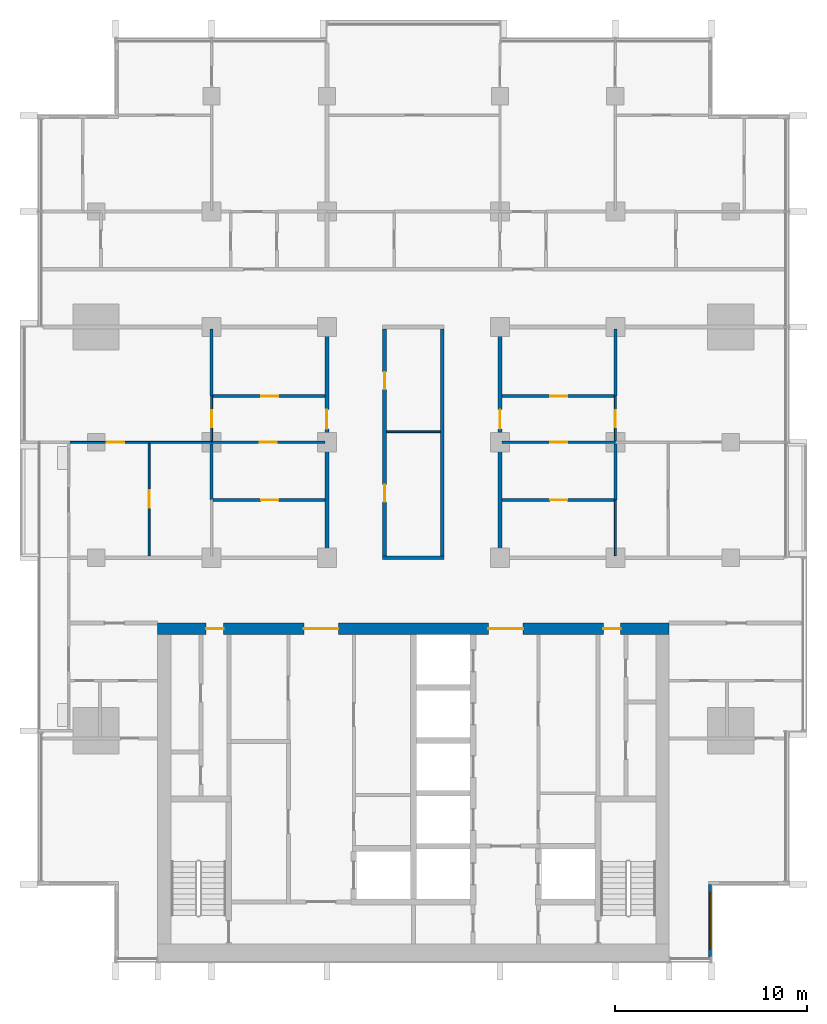
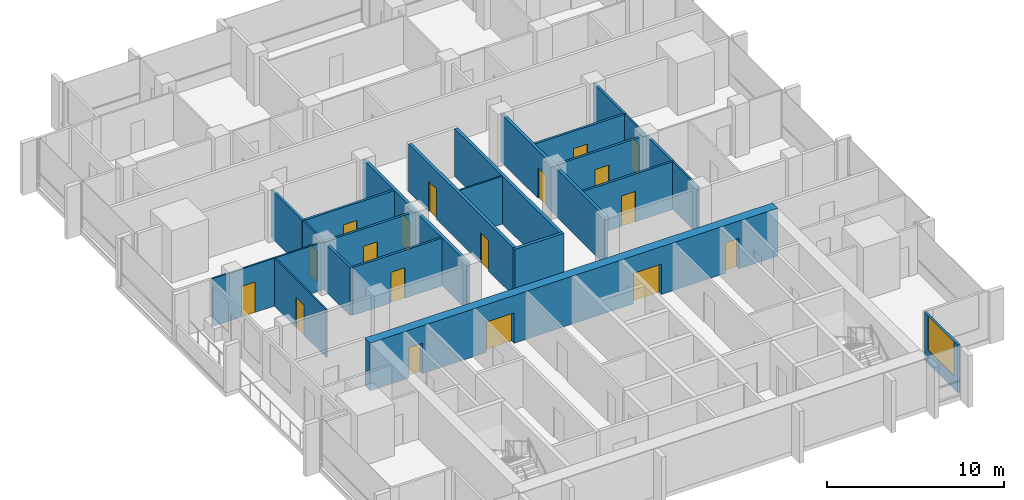
# One storey, part 9 of 17: 23 walls, 18 doors, 1 window, 19 openings.
"""IFC4 building model written with IfcOpenShell, lengths in metres."""

from ifc_helpers import new_model, si_unit, direction, frame, frame_2d, origin, place, context, subcontext, project, spatial, rectangle, extrude, material, layer, layer_set, type_object, element, fill, save


model = new_model("IFC4")

# Units and contexts
model_context = context("Model", 3, precision=1e-05, world=origin(), true_north=direction((0.0, 1.0)))
body_context = subcontext(model_context, "Body", "Model", "MODEL_VIEW")
ifc_project = project(units=[si_unit("LENGTHUNIT", "METRE"), si_unit("AREAUNIT", "SQUARE_METRE"), si_unit("VOLUMEUNIT", "CUBIC_METRE"), si_unit("PLANEANGLEUNIT", "RADIAN"), si_unit("MASSUNIT", "GRAM", prefix="KILO")], contexts=[model_context])

# Site, building, storey
site_placement = place(None, origin())
site = spatial("IfcSite", under=ifc_project, at=site_placement, CompositionType="ELEMENT")
building_placement = place(site_placement, origin())
building = spatial("IfcBuilding", under=site, at=building_placement, Name="Finial Court Residences", CompositionType="ELEMENT")
storey_placement = place(building_placement, frame((0.0, 0.0, 174.5)))
storey = spatial("IfcBuildingStorey", under=building, at=storey_placement, Name="L43", CompositionType="ELEMENT", Elevation=174.5)

# Wall, openings, doors
ifc_material_1 = material(Name="Concrete C70/85", Category="concrete")
ifc_layer_1 = layer(ifc_material_1, 0.60009765625)
ifc_layer_set_1 = layer_set([ifc_layer_1], Name="Core outer wall 600 Concrete C70/85")
wall_type_1 = type_object("IfcWallType", Name="Core outer wall 600 Concrete C70/85", PredefinedType="SHEAR", material=ifc_layer_set_1)
wall_1_placement = place(storey_placement, frame((-13.300048828125, -8.199951171875, 0.0), z_axis=(0.0, 0.0, 1.0), x_axis=(1.0, 0.0, 0.0)))
wall_1 = element("IfcWall", 1, at=wall_1_placement, inside=storey, type_object=wall_type_1, Name="Core outer wall L43-02", PredefinedType="SHEAR", context=body_context, shape_type="SweptSolid", body=[
    extrude(rectangle(XDim=26.60009765625, YDim=0.60009765625, at=frame_2d((13.300048828125, 0.0))), origin(), (0.0, 0.0, 1.0), 3.300048828125),
])
opening_1_placement = place(wall_1_placement, frame((7.60009765625, 0.0, 0.0)))
opening_1 = element("IfcOpeningElement", 2, at=opening_1_placement, cuts=wall_1, Name="Opening L43-C04", PredefinedType="OPENING", context=body_context, shape_type="SweptSolid", body=[
    extrude(rectangle(XDim=1.800048828125, YDim=2.10009765625, at=frame_2d((0.89990234375, 1.050048828125))), frame((0.0, 0.31005859375, 0.0), z_axis=(0.0, -1.0, 0.0), x_axis=(1.0, 0.0, 0.0)), (0.0, 0.0, 1.0), 0.6201171875),
])
opening_2_placement = place(wall_1_placement, frame((17.199951171875, 0.0, 0.0)))
opening_2 = element("IfcOpeningElement", 3, at=opening_2_placement, cuts=wall_1, Name="Opening L43-C05", PredefinedType="OPENING", context=body_context, shape_type="SweptSolid", body=[
    extrude(rectangle(XDim=1.800048828125, YDim=2.10009765625, at=frame_2d((0.89990234375, 1.050048828125))), frame((0.0, 0.31005859375, 0.0), z_axis=(0.0, -1.0, 0.0), x_axis=(1.0, 0.0, 0.0)), (0.0, 0.0, 1.0), 0.6201171875),
])
opening_3_placement = place(wall_1_placement, frame((2.52490234375, 0.0, 0.0)))
opening_3 = element("IfcOpeningElement", 4, at=opening_3_placement, cuts=wall_1, Name="Opening L43-C10", PredefinedType="OPENING", context=body_context, shape_type="SweptSolid", body=[
    extrude(rectangle(XDim=0.89990234375, YDim=2.10009765625, at=frame_2d((0.449951171875, 1.050048828125))), frame((0.0, 0.31005859375, 0.0), z_axis=(0.0, -1.0, 0.0), x_axis=(1.0, 0.0, 0.0)), (0.0, 0.0, 1.0), 0.6201171875),
])
opening_4_placement = place(wall_1_placement, frame((23.175048828125, 0.0, 0.0)))
opening_4 = element("IfcOpeningElement", 5, at=opening_4_placement, cuts=wall_1, Name="Opening L43-C11", PredefinedType="OPENING", context=body_context, shape_type="SweptSolid", body=[
    extrude(rectangle(XDim=0.89990234375, YDim=2.10009765625, at=frame_2d((0.449951171875, 1.050048828125))), frame((0.0, 0.31005859375, 0.0), z_axis=(0.0, -1.0, 0.0), x_axis=(1.0, 0.0, 0.0)), (0.0, 0.0, 1.0), 0.6201171875),
])
ifc_material_2 = material(Name="Steel fire door", Category="steel")
door_type_1 = type_object("IfcDoorType", Name="Lift lobby door 1800 x 2100 EI 60", OperationType="DOUBLE_DOOR_SINGLE_SWING", PredefinedType="DOOR", material=ifc_material_2)
door_1_placement = place(opening_1_placement, origin())
door_1 = element("IfcDoor", 6, at=door_1_placement, inside=storey, type_object=door_type_1, Name="Lift lobby door L43-C04", OperationType="DOUBLE_DOOR_SINGLE_SWING", OverallHeight=2.10009765625, OverallWidth=1.800048828125, PredefinedType="DOOR", context=body_context, shape_type="SweptSolid", body=[
    extrude(rectangle(XDim=1.800048828125, YDim=2.10009765625, at=frame_2d((0.89990234375, 1.050048828125))), frame((0.0, 0.02490234375, 0.0), z_axis=(0.0, -1.0, 0.0), x_axis=(1.0, 0.0, 0.0)), (0.0, 0.0, 1.0), 0.050048828125),
])
fill(opening_1, door_1)
door_2_placement = place(opening_2_placement, origin())
door_2 = element("IfcDoor", 7, at=door_2_placement, inside=storey, type_object=door_type_1, Name="Lift lobby door L43-C05", OperationType="DOUBLE_DOOR_SINGLE_SWING", OverallHeight=2.10009765625, OverallWidth=1.800048828125, PredefinedType="DOOR", context=body_context, shape_type="SweptSolid", body=[
    extrude(rectangle(XDim=1.800048828125, YDim=2.10009765625, at=frame_2d((0.89990234375, 1.050048828125))), frame((0.0, 0.02490234375, 0.0), z_axis=(0.0, -1.0, 0.0), x_axis=(1.0, 0.0, 0.0)), (0.0, 0.0, 1.0), 0.050048828125),
])
fill(opening_2, door_2)
door_type_2 = type_object("IfcDoorType", Name="Riser room door 900 x 2100 EI 90", OperationType="NOTDEFINED", PredefinedType="DOOR", material=ifc_material_2)
door_3_placement = place(opening_3_placement, origin())
door_3 = element("IfcDoor", 8, at=door_3_placement, inside=storey, type_object=door_type_2, Name="Riser room door L43-C10", OperationType="SINGLE_SWING_RIGHT", OverallHeight=2.10009765625, OverallWidth=0.89990234375, PredefinedType="DOOR", context=body_context, shape_type="SweptSolid", body=[
    extrude(rectangle(XDim=0.89990234375, YDim=2.10009765625, at=frame_2d((0.449951171875, 1.050048828125))), frame((0.0, 0.02490234375, 0.0), z_axis=(0.0, -1.0, 0.0), x_axis=(1.0, 0.0, 0.0)), (0.0, 0.0, 1.0), 0.050048828125),
])
fill(opening_3, door_3)
door_4_placement = place(opening_4_placement, origin())
door_4 = element("IfcDoor", 9, at=door_4_placement, inside=storey, type_object=door_type_2, Name="Riser room door L43-C11", OperationType="SINGLE_SWING_LEFT", OverallHeight=2.10009765625, OverallWidth=0.89990234375, PredefinedType="DOOR", context=body_context, shape_type="SweptSolid", body=[
    extrude(rectangle(XDim=0.89990234375, YDim=2.10009765625, at=frame_2d((0.449951171875, 1.050048828125))), frame((0.0, 0.02490234375, 0.0), z_axis=(0.0, -1.0, 0.0), x_axis=(1.0, 0.0, 0.0)), (0.0, 0.0, 1.0), 0.050048828125),
])
fill(opening_4, door_4)

# Wall
ifc_material_3 = material(Name="Gypsum board")
ifc_layer_2 = layer(ifc_material_3, 0.02490234375)
ifc_material_4 = material(Name="Acoustic mineral wool in double frame")
ifc_layer_3 = layer(ifc_material_4, 0.14990234375)
ifc_layer_4 = layer(ifc_material_3, 0.02490234375)
ifc_layer_set_2 = layer_set([ifc_layer_2, ifc_layer_3, ifc_layer_4], Name="Corridor wall 200, 1 hour")
wall_type_2 = type_object("IfcWallType", Name="Corridor wall 200, 1 hour", PredefinedType="PARTITIONING", material=ifc_layer_set_2)
wall_2_placement = place(storey_placement, frame((-1.60009765625, -4.5, 0.0), z_axis=(0.0, 0.0, 1.0), x_axis=(1.0, 0.0, 0.0)))
element("IfcWall", 10, at=wall_2_placement, inside=storey, type_object=wall_type_2, Name="Partition L43-007", PredefinedType="PARTITIONING", context=body_context, shape_type="SweptSolid", body=[
    extrude(rectangle(XDim=3.2001953125, YDim=0.199951171875, at=frame_2d((1.60009765625, 0.0))), origin(), (0.0, 0.0, 1.0), 3.300048828125),
])

# Wall, opening, door
wall_3_placement = place(storey_placement, frame((-4.5, -4.39990234375, 0.0), z_axis=(0.0, 0.0, 1.0), x_axis=(0.0, 1.0, 0.0)))
wall_3 = element("IfcWall", 11, at=wall_3_placement, inside=storey, type_object=wall_type_2, Name="Partition L43-047", PredefinedType="PARTITIONING", context=body_context, shape_type="SweptSolid", body=[
    extrude(rectangle(XDim=11.7998046875, YDim=0.199951171875, at=frame_2d((5.89990234375, 0.0))), origin(), (0.0, 0.0, 1.0), 3.300048828125),
])
opening_5_placement = place(wall_3_placement, frame((6.60009765625, 0.0, 0.0)))
opening_5 = element("IfcOpeningElement", 12, at=opening_5_placement, cuts=wall_3, Name="Opening L43-D031", PredefinedType="OPENING", context=body_context, shape_type="SweptSolid", body=[
    extrude(rectangle(XDim=1.0, YDim=2.10009765625, at=frame_2d((0.5, 1.050048828125))), frame((0.0, 0.10986328125, 0.0), z_axis=(0.0, -1.0, 0.0), x_axis=(1.0, 0.0, 0.0)), (0.0, 0.0, 1.0), 0.219970703125),
])
ifc_material_5 = material(Name="Timber door leaf in hollow metal frame", Category="wood")
door_type_3 = type_object("IfcDoorType", Name="Fire door set 1000 x 2100, 30 minutes", OperationType="SINGLE_SWING_LEFT", PredefinedType="DOOR", material=ifc_material_5)
door_5_placement = place(opening_5_placement, origin())
door_5 = element("IfcDoor", 13, at=door_5_placement, inside=storey, type_object=door_type_3, Name="Door L43-D031", OperationType="SINGLE_SWING_LEFT", OverallHeight=2.10009765625, OverallWidth=1.0, PredefinedType="DOOR", context=body_context, shape_type="SweptSolid", body=[
    extrude(rectangle(XDim=1.0, YDim=2.10009765625, at=frame_2d((0.5, 1.050048828125))), frame((0.0, 0.02490234375, 0.0), z_axis=(0.0, -1.0, 0.0), x_axis=(1.0, 0.0, 0.0)), (0.0, 0.0, 1.0), 0.050048828125),
])
fill(opening_5, door_5)

# Wall, openings, doors
wall_4_placement = place(storey_placement, frame((-1.5, -4.39990234375, 0.0), z_axis=(0.0, 0.0, 1.0), x_axis=(0.0, 1.0, 0.0)))
wall_4 = element("IfcWall", 14, at=wall_4_placement, inside=storey, type_object=wall_type_2, Name="Partition L43-050", PredefinedType="PARTITIONING", context=body_context, shape_type="SweptSolid", body=[
    extrude(rectangle(XDim=11.7998046875, YDim=0.199951171875, at=frame_2d((5.89990234375, 0.0))), origin(), (0.0, 0.0, 1.0), 3.300048828125),
])
opening_6_placement = place(wall_4_placement, frame((2.800048828125, 0.0, 0.0)))
opening_6 = element("IfcOpeningElement", 15, at=opening_6_placement, cuts=wall_4, Name="Opening L43-D032", PredefinedType="OPENING", context=body_context, shape_type="SweptSolid", body=[
    extrude(rectangle(XDim=0.89990234375, YDim=2.10009765625, at=frame_2d((0.449951171875, 1.050048828125))), frame((0.0, 0.10986328125, 0.0), z_axis=(0.0, -1.0, 0.0), x_axis=(1.0, 0.0, 0.0)), (0.0, 0.0, 1.0), 0.219970703125),
])
opening_7_placement = place(wall_4_placement, frame((8.64990234375, 0.0, 0.0)))
opening_7 = element("IfcOpeningElement", 16, at=opening_7_placement, cuts=wall_4, Name="Opening L43-D033", PredefinedType="OPENING", context=body_context, shape_type="SweptSolid", body=[
    extrude(rectangle(XDim=0.89990234375, YDim=2.10009765625, at=frame_2d((0.449951171875, 1.050048828125))), frame((0.0, 0.10986328125, 0.0), z_axis=(0.0, -1.0, 0.0), x_axis=(1.0, 0.0, 0.0)), (0.0, 0.0, 1.0), 0.219970703125),
])
door_type_4 = type_object("IfcDoorType", Name="Fire door set 900 x 2100, 30 minutes", OperationType="SINGLE_SWING_LEFT", PredefinedType="DOOR", material=ifc_material_5)
door_6_placement = place(opening_6_placement, origin())
door_6 = element("IfcDoor", 17, at=door_6_placement, inside=storey, type_object=door_type_4, Name="Door L43-D032", OperationType="SINGLE_SWING_LEFT", OverallHeight=2.10009765625, OverallWidth=0.89990234375, PredefinedType="DOOR", context=body_context, shape_type="SweptSolid", body=[
    extrude(rectangle(XDim=0.89990234375, YDim=2.10009765625, at=frame_2d((0.449951171875, 1.050048828125))), frame((0.0, 0.02490234375, 0.0), z_axis=(0.0, -1.0, 0.0), x_axis=(1.0, 0.0, 0.0)), (0.0, 0.0, 1.0), 0.050048828125),
])
fill(opening_6, door_6)
door_7_placement = place(opening_7_placement, origin())
door_7 = element("IfcDoor", 18, at=door_7_placement, inside=storey, type_object=door_type_4, Name="Door L43-D033", OperationType="SINGLE_SWING_RIGHT", OverallHeight=2.10009765625, OverallWidth=0.89990234375, PredefinedType="DOOR", context=body_context, shape_type="SweptSolid", body=[
    extrude(rectangle(XDim=0.89990234375, YDim=2.10009765625, at=frame_2d((0.449951171875, 1.050048828125))), frame((0.0, 0.02490234375, 0.0), z_axis=(0.0, -1.0, 0.0), x_axis=(1.0, 0.0, 0.0)), (0.0, 0.0, 1.0), 0.050048828125),
])
fill(opening_7, door_7)

# Wall
wall_5_placement = place(storey_placement, frame((1.5, -4.39990234375, 0.0), z_axis=(0.0, 0.0, 1.0), x_axis=(0.0, 1.0, 0.0)))
element("IfcWall", 19, at=wall_5_placement, inside=storey, type_object=wall_type_2, Name="Partition L43-052", PredefinedType="PARTITIONING", context=body_context, shape_type="SweptSolid", body=[
    extrude(rectangle(XDim=11.7998046875, YDim=0.199951171875, at=frame_2d((5.89990234375, 0.0))), origin(), (0.0, 0.0, 1.0), 3.300048828125),
])

# Wall, opening, door
wall_6_placement = place(storey_placement, frame((4.5, -4.39990234375, 0.0), z_axis=(0.0, 0.0, 1.0), x_axis=(0.0, 1.0, 0.0)))
wall_6 = element("IfcWall", 20, at=wall_6_placement, inside=storey, type_object=wall_type_2, Name="Partition L43-053", PredefinedType="PARTITIONING", context=body_context, shape_type="SweptSolid", body=[
    extrude(rectangle(XDim=11.7998046875, YDim=0.199951171875, at=frame_2d((5.89990234375, 0.0))), origin(), (0.0, 0.0, 1.0), 3.300048828125),
])
opening_8_placement = place(wall_6_placement, frame((6.60009765625, 0.0, 0.0)))
opening_8 = element("IfcOpeningElement", 21, at=opening_8_placement, cuts=wall_6, Name="Opening L43-D035", PredefinedType="OPENING", context=body_context, shape_type="SweptSolid", body=[
    extrude(rectangle(XDim=1.0, YDim=2.10009765625, at=frame_2d((0.5, 1.050048828125))), frame((0.0, 0.10986328125, 0.0), z_axis=(0.0, -1.0, 0.0), x_axis=(1.0, 0.0, 0.0)), (0.0, 0.0, 1.0), 0.219970703125),
])
door_8_placement = place(opening_8_placement, origin())
door_8 = element("IfcDoor", 22, at=door_8_placement, inside=storey, type_object=door_type_3, Name="Door L43-D035", OperationType="SINGLE_SWING_RIGHT", OverallHeight=2.10009765625, OverallWidth=1.0, PredefinedType="DOOR", context=body_context, shape_type="SweptSolid", body=[
    extrude(rectangle(XDim=1.0, YDim=2.10009765625, at=frame_2d((0.5, 1.050048828125))), frame((0.0, 0.02490234375, 0.0), z_axis=(0.0, -1.0, 0.0), x_axis=(1.0, 0.0, 0.0)), (0.0, 0.0, 1.0), 0.050048828125),
])
fill(opening_8, door_8)

ifc_layer_5 = layer(ifc_material_3, 0.012451171875)
ifc_material_6 = material(Name="Mineral wool in light-gauge frame")
ifc_layer_6 = layer(ifc_material_6, 0.074951171875)
ifc_layer_7 = layer(ifc_material_3, 0.012451171875)
ifc_layer_set_3 = layer_set([ifc_layer_5, ifc_layer_6, ifc_layer_7], Name="Gypsum board partition 100")
wall_type_3 = type_object("IfcWallType", Name="Gypsum board partition 100", PredefinedType="PARTITIONING", material=ifc_layer_set_3)
wall_7_placement = place(storey_placement, frame((-17.85009765625, 1.5, 0.0), z_axis=(0.0, 0.0, 1.0), x_axis=(1.0, 0.0, 0.0)))
wall_7 = element("IfcWall", 23, at=wall_7_placement, inside=storey, type_object=wall_type_3, Name="Partition L43-011", PredefinedType="PARTITIONING", context=body_context, shape_type="SweptSolid", body=[
    extrude(rectangle(XDim=7.35009765625, YDim=0.10009765625, at=frame_2d((3.675048828125, 0.0))), origin(), (0.0, 0.0, 1.0), 3.300048828125),
])
opening_9_placement = place(wall_7_placement, frame((1.89990234375, 0.0, 0.0)))
opening_9 = element("IfcOpeningElement", 24, at=opening_9_placement, cuts=wall_7, Name="Opening L43-D011", PredefinedType="OPENING", context=body_context, shape_type="SweptSolid", body=[
    extrude(rectangle(XDim=0.89990234375, YDim=2.10009765625, at=frame_2d((0.449951171875, 1.050048828125))), frame((0.0, 0.06005859375, 0.0), z_axis=(0.0, -1.0, 0.0), x_axis=(1.0, 0.0, 0.0)), (0.0, 0.0, 1.0), 0.1201171875),
])
ifc_material_7 = material(Name="Timber door leaf in timber frame", Category="wood")
door_type_5 = type_object("IfcDoorType", Name="Door set 900 x 2100", OperationType="SINGLE_SWING_LEFT", PredefinedType="DOOR", material=ifc_material_7)
door_9_placement = place(opening_9_placement, origin())
door_9 = element("IfcDoor", 25, at=door_9_placement, inside=storey, type_object=door_type_5, Name="Door L43-D011", OperationType="SINGLE_SWING_LEFT", OverallHeight=2.10009765625, OverallWidth=0.89990234375, PredefinedType="DOOR", context=body_context, shape_type="SweptSolid", body=[
    extrude(rectangle(XDim=0.89990234375, YDim=2.10009765625, at=frame_2d((0.449951171875, 1.050048828125))), frame((0.0, 0.02490234375, 0.0), z_axis=(0.0, -1.0, 0.0), x_axis=(1.0, 0.0, 0.0)), (0.0, 0.0, 1.0), 0.050048828125),
])
fill(opening_9, door_9)

# Wall
wall_8_placement = place(storey_placement, frame((-1.39990234375, 2.050048828125, 0.0), z_axis=(0.0, 0.0, 1.0), x_axis=(1.0, 0.0, 0.0)))
element("IfcWall", 26, at=wall_8_placement, inside=storey, type_object=wall_type_3, Name="Partition L43-015", PredefinedType="PARTITIONING", context=body_context, shape_type="SweptSolid", body=[
    extrude(rectangle(XDim=2.7998046875, YDim=0.10009765625, at=frame_2d((1.39990234375, 0.0))), origin(), (0.0, 0.0, 1.0), 3.300048828125),
])

# Wall, opening, door
wall_9_placement = place(storey_placement, frame((-13.75, -4.39990234375, 0.0), z_axis=(0.0, 0.0, 1.0), x_axis=(0.0, 1.0, 0.0)))
wall_9 = element("IfcWall", 27, at=wall_9_placement, inside=storey, type_object=wall_type_3, Name="Partition L43-039", PredefinedType="PARTITIONING", context=body_context, shape_type="SweptSolid", body=[
    extrude(rectangle(XDim=5.849853515625, YDim=0.10009765625, at=frame_2d((2.9248046875, 0.0))), origin(), (0.0, 0.0, 1.0), 3.300048828125),
])
opening_10_placement = place(wall_9_placement, frame((2.5, 0.0, 0.0)))
opening_10 = element("IfcOpeningElement", 28, at=opening_10_placement, cuts=wall_9, Name="Opening L43-D026", PredefinedType="OPENING", context=body_context, shape_type="SweptSolid", body=[
    extrude(rectangle(XDim=0.89990234375, YDim=2.10009765625, at=frame_2d((0.449951171875, 1.050048828125))), frame((0.0, 0.06005859375, 0.0), z_axis=(0.0, -1.0, 0.0), x_axis=(1.0, 0.0, 0.0)), (0.0, 0.0, 1.0), 0.1201171875),
])
door_10_placement = place(opening_10_placement, origin())
door_10 = element("IfcDoor", 29, at=door_10_placement, inside=storey, type_object=door_type_5, Name="Door L43-D026", OperationType="SINGLE_SWING_RIGHT", OverallHeight=2.10009765625, OverallWidth=0.89990234375, PredefinedType="DOOR", context=body_context, shape_type="SweptSolid", body=[
    extrude(rectangle(XDim=0.89990234375, YDim=2.10009765625, at=frame_2d((0.449951171875, 1.050048828125))), frame((0.0, 0.02490234375, 0.0), z_axis=(0.0, -1.0, 0.0), x_axis=(1.0, 0.0, 0.0)), (0.0, 0.0, 1.0), 0.050048828125),
])
fill(opening_10, door_10)

wall_10_placement = place(storey_placement, frame((-10.5, 1.574951171875, 0.0), z_axis=(0.0, 0.0, 1.0), x_axis=(0.0, 1.0, 0.0)))
wall_10 = element("IfcWall", 30, at=wall_10_placement, inside=storey, type_object=wall_type_3, Name="Partition L43-041", PredefinedType="PARTITIONING", context=body_context, shape_type="SweptSolid", body=[
    extrude(rectangle(XDim=2.324951171875, YDim=0.10009765625, at=frame_2d((1.16259765625, 0.0))), origin(), (0.0, 0.0, 1.0), 3.300048828125),
])
opening_11_placement = place(wall_10_placement, frame((0.699951171875, 0.0, 0.0)))
opening_11 = element("IfcOpeningElement", 31, at=opening_11_placement, cuts=wall_10, Name="Opening L43-D027", PredefinedType="OPENING", context=body_context, shape_type="SweptSolid", body=[
    extrude(rectangle(XDim=0.89990234375, YDim=2.10009765625, at=frame_2d((0.449951171875, 1.050048828125))), frame((0.0, 0.06005859375, 0.0), z_axis=(0.0, -1.0, 0.0), x_axis=(1.0, 0.0, 0.0)), (0.0, 0.0, 1.0), 0.1201171875),
])
door_11_placement = place(opening_11_placement, origin())
door_11 = element("IfcDoor", 32, at=door_11_placement, inside=storey, type_object=door_type_5, Name="Door L43-D027", OperationType="SINGLE_SWING_RIGHT", OverallHeight=2.10009765625, OverallWidth=0.89990234375, PredefinedType="DOOR", context=body_context, shape_type="SweptSolid", body=[
    extrude(rectangle(XDim=0.89990234375, YDim=2.10009765625, at=frame_2d((0.449951171875, 1.050048828125))), frame((0.0, 0.02490234375, 0.0), z_axis=(0.0, -1.0, 0.0), x_axis=(1.0, 0.0, 0.0)), (0.0, 0.0, 1.0), 0.050048828125),
])
fill(opening_11, door_11)

# Wall
wall_11_placement = place(storey_placement, frame((10.5, -4.39990234375, 0.0), z_axis=(0.0, 0.0, 1.0), x_axis=(0.0, 1.0, 0.0)))
element("IfcWall", 33, at=wall_11_placement, inside=storey, type_object=wall_type_3, Name="Partition L43-057", PredefinedType="PARTITIONING", context=body_context, shape_type="SweptSolid", body=[
    extrude(rectangle(XDim=2.89990234375, YDim=0.10009765625, at=frame_2d((1.449951171875, 0.0))), origin(), (0.0, 0.0, 1.0), 3.300048828125),
])

# Wall, opening, door
wall_12_placement = place(storey_placement, frame((10.5, 1.574951171875, 0.0), z_axis=(0.0, 0.0, 1.0), x_axis=(0.0, 1.0, 0.0)))
wall_12 = element("IfcWall", 34, at=wall_12_placement, inside=storey, type_object=wall_type_3, Name="Partition L43-058", PredefinedType="PARTITIONING", context=body_context, shape_type="SweptSolid", body=[
    extrude(rectangle(XDim=2.324951171875, YDim=0.10009765625, at=frame_2d((1.16259765625, 0.0))), origin(), (0.0, 0.0, 1.0), 3.300048828125),
])
opening_12_placement = place(wall_12_placement, frame((0.699951171875, 0.0, 0.0)))
opening_12 = element("IfcOpeningElement", 35, at=opening_12_placement, cuts=wall_12, Name="Opening L43-D039", PredefinedType="OPENING", context=body_context, shape_type="SweptSolid", body=[
    extrude(rectangle(XDim=0.89990234375, YDim=2.10009765625, at=frame_2d((0.449951171875, 1.050048828125))), frame((0.0, 0.06005859375, 0.0), z_axis=(0.0, -1.0, 0.0), x_axis=(1.0, 0.0, 0.0)), (0.0, 0.0, 1.0), 0.1201171875),
])
door_12_placement = place(opening_12_placement, origin())
door_12 = element("IfcDoor", 36, at=door_12_placement, inside=storey, type_object=door_type_5, Name="Door L43-D039", OperationType="SINGLE_SWING_LEFT", OverallHeight=2.10009765625, OverallWidth=0.89990234375, PredefinedType="DOOR", context=body_context, shape_type="SweptSolid", body=[
    extrude(rectangle(XDim=0.89990234375, YDim=2.10009765625, at=frame_2d((0.449951171875, 1.050048828125))), frame((0.0, 0.02490234375, 0.0), z_axis=(0.0, -1.0, 0.0), x_axis=(1.0, 0.0, 0.0)), (0.0, 0.0, 1.0), 0.050048828125),
])
fill(opening_12, door_12)

ifc_material_8 = material(Name="Moisture-resistant gypsum board")
ifc_layer_8 = layer(ifc_material_8, 0.012451171875)
ifc_layer_9 = layer(ifc_material_6, 0.125)
ifc_layer_10 = layer(ifc_material_8, 0.012451171875)
ifc_layer_set_4 = layer_set([ifc_layer_8, ifc_layer_9, ifc_layer_10], Name="Gypsum board wet-area partition 150")
wall_type_4 = type_object("IfcWallType", Name="Gypsum board wet-area partition 150", PredefinedType="PARTITIONING", material=ifc_layer_set_4)
wall_13_placement = place(storey_placement, frame((-10.425048828125, -1.5, 0.0), z_axis=(0.0, 0.0, 1.0), x_axis=(1.0, 0.0, 0.0)))
wall_13 = element("IfcWall", 37, at=wall_13_placement, inside=storey, type_object=wall_type_4, Name="Partition L43-009", PredefinedType="PARTITIONING", context=body_context, shape_type="SweptSolid", body=[
    extrude(rectangle(XDim=5.824951171875, YDim=0.14990234375, at=frame_2d((2.91259765625, 0.0))), origin(), (0.0, 0.0, 1.0), 3.300048828125),
])
opening_13_placement = place(wall_13_placement, frame((2.5, 0.0, 0.0)))
opening_13 = element("IfcOpeningElement", 38, at=opening_13_placement, cuts=wall_13, Name="Opening L43-D009", PredefinedType="OPENING", context=body_context, shape_type="SweptSolid", body=[
    extrude(rectangle(XDim=0.89990234375, YDim=2.10009765625, at=frame_2d((0.449951171875, 1.050048828125))), frame((0.0, 0.0849609375, 0.0), z_axis=(0.0, -1.0, 0.0), x_axis=(1.0, 0.0, 0.0)), (0.0, 0.0, 1.0), 0.169921875),
])
door_13_placement = place(opening_13_placement, origin())
door_13 = element("IfcDoor", 39, at=door_13_placement, inside=storey, type_object=door_type_5, Name="Door L43-D009", OperationType="SINGLE_SWING_RIGHT", OverallHeight=2.10009765625, OverallWidth=0.89990234375, PredefinedType="DOOR", context=body_context, shape_type="SweptSolid", body=[
    extrude(rectangle(XDim=0.89990234375, YDim=2.10009765625, at=frame_2d((0.449951171875, 1.050048828125))), frame((0.0, 0.02490234375, 0.0), z_axis=(0.0, -1.0, 0.0), x_axis=(1.0, 0.0, 0.0)), (0.0, 0.0, 1.0), 0.050048828125),
])
fill(opening_13, door_13)

wall_14_placement = place(storey_placement, frame((4.60009765625, -1.5, 0.0), z_axis=(0.0, 0.0, 1.0), x_axis=(1.0, 0.0, 0.0)))
wall_14 = element("IfcWall", 40, at=wall_14_placement, inside=storey, type_object=wall_type_4, Name="Partition L43-010", PredefinedType="PARTITIONING", context=body_context, shape_type="SweptSolid", body=[
    extrude(rectangle(XDim=5.824951171875, YDim=0.14990234375, at=frame_2d((2.91259765625, 0.0))), origin(), (0.0, 0.0, 1.0), 3.300048828125),
])
opening_14_placement = place(wall_14_placement, frame((2.5, 0.0, 0.0)))
opening_14 = element("IfcOpeningElement", 41, at=opening_14_placement, cuts=wall_14, Name="Opening L43-D010", PredefinedType="OPENING", context=body_context, shape_type="SweptSolid", body=[
    extrude(rectangle(XDim=0.89990234375, YDim=2.10009765625, at=frame_2d((0.449951171875, 1.050048828125))), frame((0.0, 0.0849609375, 0.0), z_axis=(0.0, -1.0, 0.0), x_axis=(1.0, 0.0, 0.0)), (0.0, 0.0, 1.0), 0.169921875),
])
door_14_placement = place(opening_14_placement, origin())
door_14 = element("IfcDoor", 42, at=door_14_placement, inside=storey, type_object=door_type_5, Name="Door L43-D010", OperationType="SINGLE_SWING_RIGHT", OverallHeight=2.10009765625, OverallWidth=0.89990234375, PredefinedType="DOOR", context=body_context, shape_type="SweptSolid", body=[
    extrude(rectangle(XDim=0.89990234375, YDim=2.10009765625, at=frame_2d((0.449951171875, 1.050048828125))), frame((0.0, 0.02490234375, 0.0), z_axis=(0.0, -1.0, 0.0), x_axis=(1.0, 0.0, 0.0)), (0.0, 0.0, 1.0), 0.050048828125),
])
fill(opening_14, door_14)

wall_15_placement = place(storey_placement, frame((-10.5, 1.5, 0.0), z_axis=(0.0, 0.0, 1.0), x_axis=(1.0, 0.0, 0.0)))
wall_15 = element("IfcWall", 43, at=wall_15_placement, inside=storey, type_object=wall_type_4, Name="Partition L43-013", PredefinedType="PARTITIONING", context=body_context, shape_type="SweptSolid", body=[
    extrude(rectangle(XDim=5.89990234375, YDim=0.14990234375, at=frame_2d((2.949951171875, 0.0))), origin(), (0.0, 0.0, 1.0), 3.300048828125),
])
opening_15_placement = place(wall_15_placement, frame((2.5, 0.0, 0.0)))
opening_15 = element("IfcOpeningElement", 44, at=opening_15_placement, cuts=wall_15, Name="Opening L43-D013", PredefinedType="OPENING", context=body_context, shape_type="SweptSolid", body=[
    extrude(rectangle(XDim=0.89990234375, YDim=2.10009765625, at=frame_2d((0.449951171875, 1.050048828125))), frame((0.0, 0.0849609375, 0.0), z_axis=(0.0, -1.0, 0.0), x_axis=(1.0, 0.0, 0.0)), (0.0, 0.0, 1.0), 0.169921875),
])
door_15_placement = place(opening_15_placement, origin())
door_15 = element("IfcDoor", 45, at=door_15_placement, inside=storey, type_object=door_type_5, Name="Door L43-D013", OperationType="SINGLE_SWING_LEFT", OverallHeight=2.10009765625, OverallWidth=0.89990234375, PredefinedType="DOOR", context=body_context, shape_type="SweptSolid", body=[
    extrude(rectangle(XDim=0.89990234375, YDim=2.10009765625, at=frame_2d((0.449951171875, 1.050048828125))), frame((0.0, 0.02490234375, 0.0), z_axis=(0.0, -1.0, 0.0), x_axis=(1.0, 0.0, 0.0)), (0.0, 0.0, 1.0), 0.050048828125),
])
fill(opening_15, door_15)

wall_16_placement = place(storey_placement, frame((4.60009765625, 1.5, 0.0), z_axis=(0.0, 0.0, 1.0), x_axis=(1.0, 0.0, 0.0)))
wall_16 = element("IfcWall", 46, at=wall_16_placement, inside=storey, type_object=wall_type_4, Name="Partition L43-014", PredefinedType="PARTITIONING", context=body_context, shape_type="SweptSolid", body=[
    extrude(rectangle(XDim=5.89990234375, YDim=0.14990234375, at=frame_2d((2.949951171875, 0.0))), origin(), (0.0, 0.0, 1.0), 3.300048828125),
])
opening_16_placement = place(wall_16_placement, frame((2.5, 0.0, 0.0)))
opening_16 = element("IfcOpeningElement", 47, at=opening_16_placement, cuts=wall_16, Name="Opening L43-D014", PredefinedType="OPENING", context=body_context, shape_type="SweptSolid", body=[
    extrude(rectangle(XDim=0.89990234375, YDim=2.10009765625, at=frame_2d((0.449951171875, 1.050048828125))), frame((0.0, 0.0849609375, 0.0), z_axis=(0.0, -1.0, 0.0), x_axis=(1.0, 0.0, 0.0)), (0.0, 0.0, 1.0), 0.169921875),
])
door_16_placement = place(opening_16_placement, origin())
door_16 = element("IfcDoor", 48, at=door_16_placement, inside=storey, type_object=door_type_5, Name="Door L43-D014", OperationType="SINGLE_SWING_RIGHT", OverallHeight=2.10009765625, OverallWidth=0.89990234375, PredefinedType="DOOR", context=body_context, shape_type="SweptSolid", body=[
    extrude(rectangle(XDim=0.89990234375, YDim=2.10009765625, at=frame_2d((0.449951171875, 1.050048828125))), frame((0.0, 0.02490234375, 0.0), z_axis=(0.0, -1.0, 0.0), x_axis=(1.0, 0.0, 0.0)), (0.0, 0.0, 1.0), 0.050048828125),
])
fill(opening_16, door_16)

wall_17_placement = place(storey_placement, frame((-10.425048828125, 3.89990234375, 0.0), z_axis=(0.0, 0.0, 1.0), x_axis=(1.0, 0.0, 0.0)))
wall_17 = element("IfcWall", 49, at=wall_17_placement, inside=storey, type_object=wall_type_4, Name="Partition L43-016", PredefinedType="PARTITIONING", context=body_context, shape_type="SweptSolid", body=[
    extrude(rectangle(XDim=5.824951171875, YDim=0.14990234375, at=frame_2d((2.91259765625, 0.0))), origin(), (0.0, 0.0, 1.0), 3.300048828125),
])
opening_17_placement = place(wall_17_placement, frame((2.5, 0.0, 0.0)))
opening_17 = element("IfcOpeningElement", 50, at=opening_17_placement, cuts=wall_17, Name="Opening L43-D015", PredefinedType="OPENING", context=body_context, shape_type="SweptSolid", body=[
    extrude(rectangle(XDim=0.89990234375, YDim=2.10009765625, at=frame_2d((0.449951171875, 1.050048828125))), frame((0.0, 0.0849609375, 0.0), z_axis=(0.0, -1.0, 0.0), x_axis=(1.0, 0.0, 0.0)), (0.0, 0.0, 1.0), 0.169921875),
])
door_17_placement = place(opening_17_placement, origin())
door_17 = element("IfcDoor", 51, at=door_17_placement, inside=storey, type_object=door_type_5, Name="Door L43-D015", OperationType="SINGLE_SWING_LEFT", OverallHeight=2.10009765625, OverallWidth=0.89990234375, PredefinedType="DOOR", context=body_context, shape_type="SweptSolid", body=[
    extrude(rectangle(XDim=0.89990234375, YDim=2.10009765625, at=frame_2d((0.449951171875, 1.050048828125))), frame((0.0, 0.02490234375, 0.0), z_axis=(0.0, -1.0, 0.0), x_axis=(1.0, 0.0, 0.0)), (0.0, 0.0, 1.0), 0.050048828125),
])
fill(opening_17, door_17)

wall_18_placement = place(storey_placement, frame((4.60009765625, 3.89990234375, 0.0), z_axis=(0.0, 0.0, 1.0), x_axis=(1.0, 0.0, 0.0)))
wall_18 = element("IfcWall", 52, at=wall_18_placement, inside=storey, type_object=wall_type_4, Name="Partition L43-017", PredefinedType="PARTITIONING", context=body_context, shape_type="SweptSolid", body=[
    extrude(rectangle(XDim=5.824951171875, YDim=0.14990234375, at=frame_2d((2.91259765625, 0.0))), origin(), (0.0, 0.0, 1.0), 3.300048828125),
])
opening_18_placement = place(wall_18_placement, frame((2.5, 0.0, 0.0)))
opening_18 = element("IfcOpeningElement", 53, at=opening_18_placement, cuts=wall_18, Name="Opening L43-D016", PredefinedType="OPENING", context=body_context, shape_type="SweptSolid", body=[
    extrude(rectangle(XDim=0.89990234375, YDim=2.10009765625, at=frame_2d((0.449951171875, 1.050048828125))), frame((0.0, 0.0849609375, 0.0), z_axis=(0.0, -1.0, 0.0), x_axis=(1.0, 0.0, 0.0)), (0.0, 0.0, 1.0), 0.169921875),
])
door_18_placement = place(opening_18_placement, origin())
door_18 = element("IfcDoor", 54, at=door_18_placement, inside=storey, type_object=door_type_5, Name="Door L43-D016", OperationType="SINGLE_SWING_RIGHT", OverallHeight=2.10009765625, OverallWidth=0.89990234375, PredefinedType="DOOR", context=body_context, shape_type="SweptSolid", body=[
    extrude(rectangle(XDim=0.89990234375, YDim=2.10009765625, at=frame_2d((0.449951171875, 1.050048828125))), frame((0.0, 0.02490234375, 0.0), z_axis=(0.0, -1.0, 0.0), x_axis=(1.0, 0.0, 0.0)), (0.0, 0.0, 1.0), 0.050048828125),
])
fill(opening_18, door_18)

# Walls
wall_19_placement = place(storey_placement, frame((-10.5, -1.5, 0.0), z_axis=(0.0, 0.0, 1.0), x_axis=(0.0, 1.0, 0.0)))
element("IfcWall", 55, at=wall_19_placement, inside=storey, type_object=wall_type_4, Name="Partition L43-043", PredefinedType="PARTITIONING", context=body_context, shape_type="SweptSolid", body=[
    extrude(rectangle(XDim=2.925048828125, YDim=0.14990234375, at=frame_2d((1.46240234375, 0.0))), origin(), (0.0, 0.0, 1.0), 3.300048828125),
])
wall_20_placement = place(storey_placement, frame((-10.5, 3.89990234375, 0.0), z_axis=(0.0, 0.0, 1.0), x_axis=(0.0, 1.0, 0.0)))
element("IfcWall", 56, at=wall_20_placement, inside=storey, type_object=wall_type_4, Name="Partition L43-044", PredefinedType="PARTITIONING", context=body_context, shape_type="SweptSolid", body=[
    extrude(rectangle(XDim=3.5, YDim=0.14990234375, at=frame_2d((1.75, 0.0))), origin(), (0.0, 0.0, 1.0), 3.300048828125),
])
wall_21_placement = place(storey_placement, frame((10.5, -1.5, 0.0), z_axis=(0.0, 0.0, 1.0), x_axis=(0.0, 1.0, 0.0)))
element("IfcWall", 57, at=wall_21_placement, inside=storey, type_object=wall_type_4, Name="Partition L43-060", PredefinedType="PARTITIONING", context=body_context, shape_type="SweptSolid", body=[
    extrude(rectangle(XDim=2.925048828125, YDim=0.14990234375, at=frame_2d((1.46240234375, 0.0))), origin(), (0.0, 0.0, 1.0), 3.300048828125),
])
wall_22_placement = place(storey_placement, frame((10.5, 3.89990234375, 0.0), z_axis=(0.0, 0.0, 1.0), x_axis=(0.0, 1.0, 0.0)))
element("IfcWall", 58, at=wall_22_placement, inside=storey, type_object=wall_type_4, Name="Partition L43-061", PredefinedType="PARTITIONING", context=body_context, shape_type="SweptSolid", body=[
    extrude(rectangle(XDim=3.5, YDim=0.14990234375, at=frame_2d((1.75, 0.0))), origin(), (0.0, 0.0, 1.0), 3.300048828125),
])

# Wall, opening, window
ifc_material_9 = material(Name="Natural limestone", Category="masonry")
ifc_layer_11 = layer(ifc_material_9, 0.14990234375)
ifc_layer_set_5 = layer_set([ifc_layer_11], Name="Limestone clad wall 150")
wall_type_5 = type_object("IfcWallType", Name="Limestone clad wall 150", PredefinedType="SOLIDWALL", material=ifc_layer_set_5)
wall_23_placement = place(storey_placement, frame((15.425048828125, -21.5, 0.0), z_axis=(0.0, 0.0, 1.0), x_axis=(0.0, -1.0, 0.0)))
wall_23 = element("IfcWall", 59, at=wall_23_placement, inside=storey, type_object=wall_type_5, Name="E-L43-NWE14", PredefinedType="SOLIDWALL", context=body_context, shape_type="SweptSolid", body=[
    extrude(rectangle(XDim=3.762451171875, YDim=0.14990234375, at=frame_2d((1.88134765625, 0.0))), origin(), (0.0, 0.0, 1.0), 3.300048828125),
])
opening_19_placement = place(wall_23_placement, frame((0.4013671875, 0.0, 0.89990234375)))
opening_19 = element("IfcOpeningElement", 60, at=opening_19_placement, cuts=wall_23, Name="Opening WE43-03", PredefinedType="OPENING", context=body_context, shape_type="SweptSolid", body=[
    extrude(rectangle(XDim=2.9599609375, YDim=2.39990234375, at=frame_2d((1.47998046875, 1.199951171875))), frame((0.0, 0.0849609375, 0.0), z_axis=(0.0, -1.0, 0.0), x_axis=(1.0, 0.0, 0.0)), (0.0, 0.0, 1.0), 0.169921875),
])
ifc_material_10 = material(Name="Clear low-e glass", Category="glass")
window_type = type_object("IfcWindowType", Name="Corner window 2960 x 2400", PartitioningType="SINGLE_PANEL", PredefinedType="WINDOW", material=ifc_material_10)
window_placement = place(opening_19_placement, origin())
window = element("IfcWindow", 61, at=window_placement, inside=storey, type_object=window_type, Name="E-L43-NWE14-W1", OverallHeight=2.39990234375, OverallWidth=2.9599609375, PartitioningType="SINGLE_PANEL", PredefinedType="WINDOW", context=body_context, shape_type="SweptSolid", body=[
    extrude(rectangle(XDim=2.9599609375, YDim=2.39990234375, at=frame_2d((1.47998046875, 1.199951171875))), frame((0.0, 0.030029296875, 0.0), z_axis=(0.0, -1.0, 0.0), x_axis=(1.0, 0.0, 0.0)), (0.0, 0.0, 1.0), 0.06005859375),
])
fill(opening_19, window)

save(model, "model.ifc")
